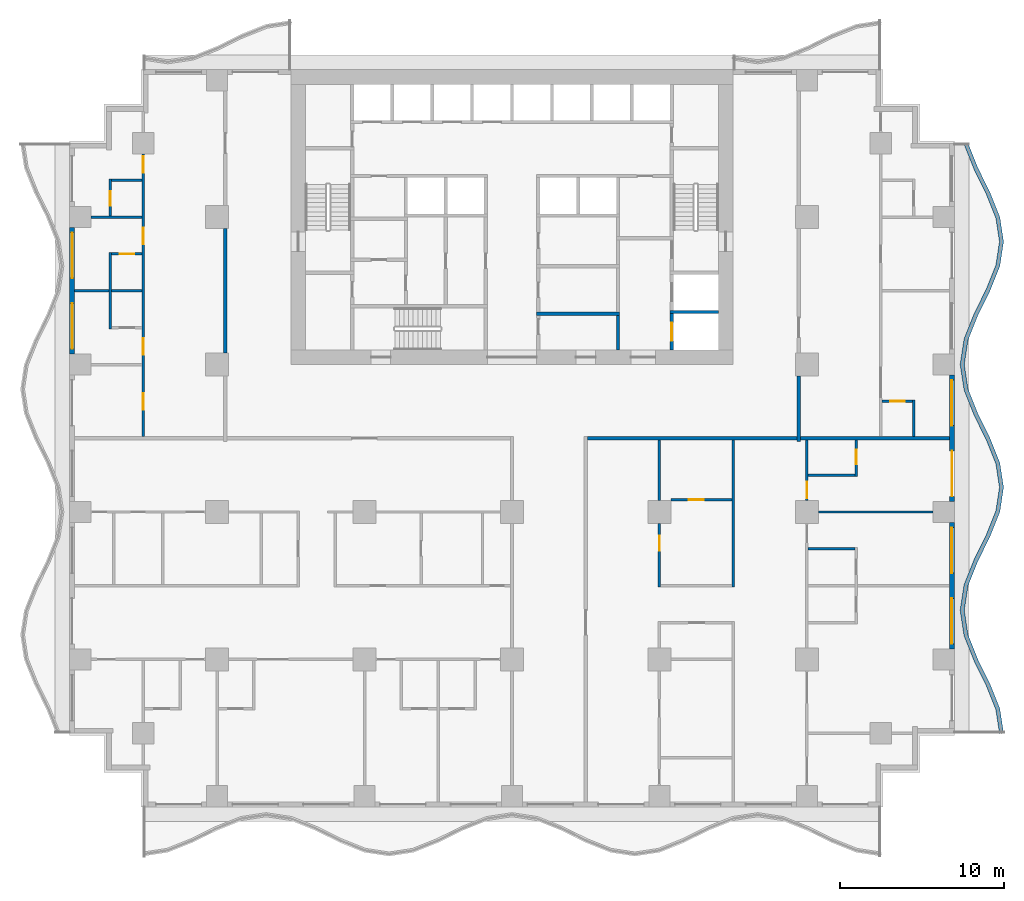
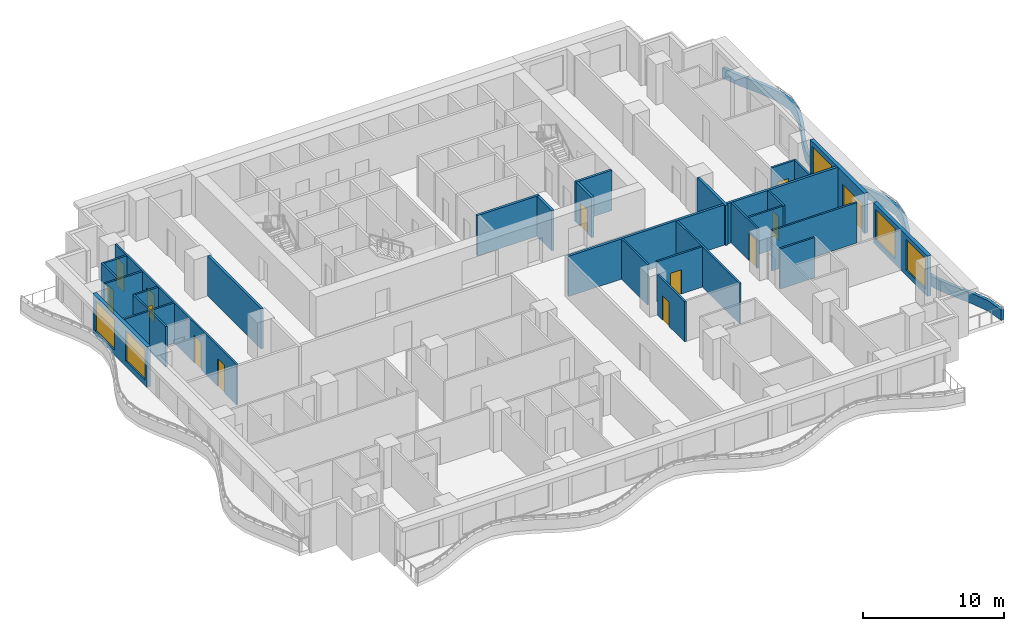
# One storey, part 4 of 14: 31 walls, 13 doors, 5 windows, 18 openings.
"""IFC4 building model written with IfcOpenShell, lengths in metres."""

import ifcopenshell
import ifcopenshell.guid

model = None  # the IFC model being written
_history = None  # IfcOwnerHistory: only IFC2X3 demands one
_inside = {}  # id of a spatial element -> (the spatial element, [elements in it])
_under = {}  # id of a project, library or spatial element -> (it, [spatial elements below it])
_declared = {}  # id of a project -> (the project, [libraries it declares])
_typed = {}  # id of a type object -> (the type object, [elements of that type])
_made_of = {}  # id of a material, layer set ... -> (it, [elements and type objects made of it])


def new_model(schema):
    """Start an empty IFC model of exactly this schema.

    Asked for "IFC4X3", IfcOpenShell would pick the latest addendum, in which some entities
    have other attributes; the version numbers below select the first issue.
    IFC2X3 requires an IfcOwnerHistory on every rooted entity: one is made here for all.
    """
    global model, _history
    if schema == "IFC4X3":
        model = ifcopenshell.file(schema_version=(4, 3, 0, 0))
    else:
        model = ifcopenshell.file(schema=schema)
    _inside.clear()
    _under.clear()
    _declared.clear()
    _typed.clear()
    _made_of.clear()
    _history = None
    if model.schema == "IFC2X3":
        org = make("IfcOrganization", Name="unknown")
        user = make(
            "IfcPersonAndOrganization",
            ThePerson=make("IfcPerson", FamilyName="unknown"),
            TheOrganization=org,
        )
        app = make(
            "IfcApplication",
            ApplicationDeveloper=org,
            Version="unknown",
            ApplicationFullName="unknown",
            ApplicationIdentifier="unknown",
        )
        _history = make(
            "IfcOwnerHistory",
            OwningUser=user,
            OwningApplication=app,
            ChangeAction="ADDED",
            CreationDate=0,
        )
    return model


def make(cls, **values):
    """One entity of the class cls with the attributes given. An attribute that is None is left unset."""
    return model.create_entity(
        cls, **{name: value for name, value in values.items() if value is not None}
    )


def rooted(cls, **values):
    """An entity with a GlobalId (a new one), such as an element, a storey or a relation."""
    return make(cls, GlobalId=ifcopenshell.guid.new(), OwnerHistory=_history, **values)


def si_unit(unit_type, name, prefix=None):
    """IfcSIUnit, for example si_unit("LENGTHUNIT", "METRE", prefix="MILLI")."""
    return make("IfcSIUnit", UnitType=unit_type, Prefix=prefix, Name=name)


def assignment(units):
    """IfcUnitAssignment: the units of a project."""
    return None if units is None else make("IfcUnitAssignment", Units=units)


def point(xyz):
    """IfcCartesianPoint."""
    return None if xyz is None else make("IfcCartesianPoint", Coordinates=xyz)


def direction(xyz):
    """IfcDirection."""
    return None if xyz is None else make("IfcDirection", DirectionRatios=xyz)


def frame(location, z_axis=None, x_axis=None):
    """IfcAxis2Placement3D, a coordinate frame: its origin and axes. An axis left out is left unset."""
    return make(
        "IfcAxis2Placement3D",
        Location=point(location),
        Axis=direction(z_axis),
        RefDirection=direction(x_axis),
    )


def frame_2d(location, x_axis=None):
    """IfcAxis2Placement2D, a coordinate frame in the plane: its origin and x axis."""
    return make(
        "IfcAxis2Placement2D", Location=point(location), RefDirection=direction(x_axis)
    )


def origin():
    """The frame at (0, 0, 0) with its axes left unset."""
    return frame((0.0, 0.0, 0.0))


def place(relative_to, where):
    """IfcLocalPlacement: puts the frame where relative to a parent placement (None: the world)."""
    return make(
        "IfcLocalPlacement", PlacementRelTo=relative_to, RelativePlacement=where
    )


def context(
    kind, dimensions, precision=None, world=None, true_north=None, identifier=None
):
    """IfcGeometricRepresentationContext, for example the 3D "Model" context."""
    return make(
        "IfcGeometricRepresentationContext",
        ContextIdentifier=identifier,
        ContextType=kind,
        CoordinateSpaceDimension=dimensions,
        Precision=precision,
        WorldCoordinateSystem=world,
        TrueNorth=true_north,
    )


def subcontext(parent, identifier, kind, view, scale=None):
    """IfcGeometricRepresentationSubContext, for example "Body" below "Model"."""
    return make(
        "IfcGeometricRepresentationSubContext",
        ContextIdentifier=identifier,
        ContextType=kind,
        ParentContext=parent,
        TargetScale=scale,
        TargetView=view,
    )


def project(units=None, contexts=None):
    """IfcProject with its units and contexts."""
    return rooted(
        "IfcProject",
        Name="project",
        RepresentationContexts=contexts,
        UnitsInContext=assignment(units),
    )


def spatial(cls, under=None, at=None, **own):
    """A site, building, storey or space (cls), placed at a placement, below another one or the project."""
    s = rooted(cls, ObjectPlacement=at, **own)
    if under is not None:
        _under.setdefault(under.id(), (under, []))[1].append(s)
    return s


def polyline(points):
    """IfcPolyline through the points."""
    return make("IfcPolyline", Points=[point(p) for p in points])


def profile(cls, at=None, kind="AREA", **sizes):
    """A parametric profile (cls). Its sizes go by their IFC names, for example OverallWidth=200.0."""
    return make(cls, ProfileType=kind, Position=at, **sizes)


def rectangle(**sizes):
    """IfcRectangleProfileDef."""
    return profile("IfcRectangleProfileDef", **sizes)


def outline(outer, holes=None, kind="AREA"):
    """IfcArbitraryClosedProfileDef: a profile drawn as a closed curve; with holes, ...WithVoids."""
    if holes is None:
        return make("IfcArbitraryClosedProfileDef", ProfileType=kind, OuterCurve=outer)
    return make(
        "IfcArbitraryProfileDefWithVoids",
        ProfileType=kind,
        OuterCurve=outer,
        InnerCurves=holes,
    )


def extrude(swept, where, along, depth):
    """IfcExtrudedAreaSolid: the profile swept, set in the frame where, extruded along a direction by depth."""
    return make(
        "IfcExtrudedAreaSolid",
        SweptArea=swept,
        Position=where,
        ExtrudedDirection=direction(along),
        Depth=depth,
    )


def shape(context_of_items, identifier, shape_type, items):
    """IfcShapeRepresentation: the items that make up one representation, for example the "Body"."""
    return make(
        "IfcShapeRepresentation",
        ContextOfItems=context_of_items,
        RepresentationIdentifier=identifier,
        RepresentationType=shape_type,
        Items=items,
    )


def material(Name=None, Category=None):
    """IfcMaterial."""
    return make("IfcMaterial", Name=Name, Category=Category)


def layer(
    of_material, thickness, ventilated=None, Name=None, Category=None, Priority=None
):
    """IfcMaterialLayer: one layer of a wall or slab, of a material (None: an air gap)."""
    return make(
        "IfcMaterialLayer",
        Material=of_material,
        LayerThickness=thickness,
        IsVentilated=ventilated,
        Name=Name,
        Category=Category,
        Priority=Priority,
    )


def layer_set(layers, Name=None):
    """IfcMaterialLayerSet."""
    return make("IfcMaterialLayerSet", MaterialLayers=layers, LayerSetName=Name)


def made_of(thing, what):
    """Note that an element or type object is made of a material, layer set ...; save() writes the relation."""
    if what is not None:
        _made_of.setdefault(what.id(), (what, []))[1].append(thing)
    return thing


def type_object(cls, material=None, **own):
    """A type object (cls), such as IfcWallType, which elements share."""
    return made_of(rooted(cls, **own), material)


def element(
    cls,
    number,
    at=None,
    inside=None,
    cuts=None,
    type_object=None,
    material=None,
    context=None,
    identifier="Body",
    shape_type=None,
    held_by="IfcProductDefinitionShape",
    body=None,
    shapes=None,
    **own,
):
    """One element of the class cls, such as IfcWall. Its Tag is "e" and its number.

    at: its placement. inside: the storey or other place that contains it. cuts: it is an
    opening in that element (IfcRelVoidsElement). A single representation is given by context,
    identifier, shape_type and body (its items); several are given by shapes. held_by: the class
    of the entity that holds the representations. save() writes the other relations.
    """
    e = rooted(cls, Tag="e%d" % number, ObjectPlacement=at, **own)
    if body is not None:
        shapes = [shape(context, identifier, shape_type, body)]
    if shapes is not None:
        e.Representation = make(held_by, Representations=shapes)
    if inside is not None:
        _inside.setdefault(inside.id(), (inside, []))[1].append(e)
    if cuts is not None:
        rooted(
            "IfcRelVoidsElement", RelatingBuildingElement=cuts, RelatedOpeningElement=e
        )
    if type_object is not None:
        _typed.setdefault(type_object.id(), (type_object, []))[1].append(e)
    return made_of(e, material)


def fill(opening, filler):
    """IfcRelFillsElement: the door or window that sits in an opening."""
    return rooted(
        "IfcRelFillsElement",
        RelatingOpeningElement=opening,
        RelatedBuildingElement=filler,
    )


def aggregate(whole, parts):
    """IfcRelAggregates: a whole, such as a stair, and the parts it consists of."""
    return rooted("IfcRelAggregates", RelatingObject=whole, RelatedObjects=parts)


def save(model, path):
    """Write the relations noted so far, then the file.

    IfcRelAggregates (storeys below a building ...), IfcRelContainedInSpatialStructure (elements
    in a storey), IfcRelDefinesByType, IfcRelAssociatesMaterial and IfcRelDeclares: one each for
    every whole, place, type object, material and project.
    """
    for whole, parts in _under.values():
        aggregate(whole, parts)
    for where, things in _inside.values():
        rooted(
            "IfcRelContainedInSpatialStructure",
            RelatedElements=things,
            RelatingStructure=where,
        )
    for kind, things in _typed.values():
        rooted("IfcRelDefinesByType", RelatedObjects=things, RelatingType=kind)
    for what, things in _made_of.values():
        rooted("IfcRelAssociatesMaterial", RelatedObjects=things, RelatingMaterial=what)
    for by, libraries in _declared.values():
        rooted("IfcRelDeclares", RelatingContext=by, RelatedDefinitions=libraries)
    model.write(path)


model = new_model("IFC4")

# Units and contexts
model_context = context("Model", 3, precision=1e-05, world=origin(), true_north=direction((0.0, 1.0)))
body_context = subcontext(model_context, "Body", "Model", "MODEL_VIEW")
ifc_project = project(units=[si_unit("LENGTHUNIT", "METRE"), si_unit("AREAUNIT", "SQUARE_METRE"), si_unit("VOLUMEUNIT", "CUBIC_METRE"), si_unit("PLANEANGLEUNIT", "RADIAN"), si_unit("MASSUNIT", "GRAM", prefix="KILO")], contexts=[model_context])

# Site, building, storey
site_placement = place(None, origin())
site = spatial("IfcSite", under=ifc_project, at=site_placement, CompositionType="ELEMENT")
building_placement = place(site_placement, origin())
building = spatial("IfcBuilding", under=site, at=building_placement, Name="Orbiselva Terraces", CompositionType="ELEMENT")
storey_placement = place(building_placement, frame((0.0, 0.0, 84.6)))
storey = spatial("IfcBuildingStorey", under=building, at=storey_placement, Name="L21", CompositionType="ELEMENT", Elevation=84.6)

# Walls
ifc_material_1 = material(Name="Concrete C60/75", Category="concrete")
ifc_layer_1 = layer(ifc_material_1, 0.2)
ifc_layer_set_1 = layer_set([ifc_layer_1], Name="Concrete C60/75")
wall_type_1 = type_object("IfcWallType", Name="CORE-WALL-SHEAR-200", PredefinedType="SHEAR", material=ifc_layer_set_1)
wall_1_placement = place(storey_placement, frame((1.5, 7.6, 0.0), z_axis=(0.0, 0.0, 1.0), x_axis=(1.0, 0.0, 0.0)))
element("IfcWall", 1, at=wall_1_placement, inside=storey, type_object=wall_type_1, Name="L21 core wall 30", PredefinedType="SHEAR", context=body_context, shape_type="SweptSolid", body=[
    extrude(rectangle(XDim=5.075, YDim=0.2, at=frame_2d((2.5375, 0.0))), origin(), (0.0, 0.0, 1.0), 3.5),
])
wall_2_placement = place(storey_placement, frame((6.475, 5.4, 0.0), z_axis=(0.0, 0.0, 1.0), x_axis=(0.0, 1.0, 0.0)))
element("IfcWall", 2, at=wall_2_placement, inside=storey, type_object=wall_type_1, Name="L21 core wall 40", PredefinedType="SHEAR", context=body_context, shape_type="SweptSolid", body=[
    extrude(rectangle(XDim=2.1, YDim=0.2, at=frame_2d((1.05, 0.0))), origin(), (0.0, 0.0, 1.0), 3.5),
])

# Wall, opening, door
wall_3_placement = place(storey_placement, frame((9.75, 5.4, 0.0), z_axis=(0.0, 0.0, 1.0), x_axis=(0.0, 1.0, 0.0)))
wall_3 = element("IfcWall", 3, at=wall_3_placement, inside=storey, type_object=wall_type_1, Name="L21 core wall 47", PredefinedType="SHEAR", context=body_context, shape_type="SweptSolid", body=[
    extrude(rectangle(XDim=2.2, YDim=0.2, at=frame_2d((1.1, 0.0))), origin(), (0.0, 0.0, 1.0), 3.5),
])
opening_1_placement = place(wall_3_placement, frame((0.55, 0.0, 0.0)))
opening_1 = element("IfcOpeningElement", 4, at=opening_1_placement, cuts=wall_3, Name="Opening LD-FF1", PredefinedType="OPENING", context=body_context, shape_type="SweptSolid", body=[
    extrude(rectangle(XDim=1.1, YDim=2.1, at=frame_2d((0.55, 1.05))), frame((0.0, 0.11, 0.0), z_axis=(0.0, -1.0, 0.0), x_axis=(1.0, 0.0, 0.0)), (0.0, 0.0, 1.0), 0.22),
])
ifc_material_2 = material(Name="Stainless steel landing door", Category="steel")
door_type_1 = type_object("IfcDoorType", Name="LANDING DOOR 1100", OperationType="SLIDING_TO_LEFT", PredefinedType="DOOR", material=ifc_material_2)
door_1_placement = place(opening_1_placement, origin())
door_1 = element("IfcDoor", 5, at=door_1_placement, inside=storey, type_object=door_type_1, Name="L21 landing door FF1", OperationType="SLIDING_TO_RIGHT", OverallHeight=2.1, OverallWidth=1.1, PredefinedType="DOOR", context=body_context, shape_type="SweptSolid", body=[
    extrude(rectangle(XDim=1.1, YDim=2.1, at=frame_2d((0.55, 1.05))), frame((0.0, 0.025, 0.0), z_axis=(0.0, -1.0, 0.0), x_axis=(1.0, 0.0, 0.0)), (0.0, 0.0, 1.0), 0.05),
])
fill(opening_1, door_1)

# Walls
wall_4_placement = place(storey_placement, frame((9.65, 7.7, 0.0), z_axis=(0.0, 0.0, 1.0), x_axis=(1.0, 0.0, 0.0)))
element("IfcWall", 6, at=wall_4_placement, inside=storey, type_object=wall_type_1, Name="L21 core wall 48", PredefinedType="SHEAR", context=body_context, shape_type="SweptSolid", body=[
    extrude(rectangle(XDim=2.95, YDim=0.2, at=frame_2d((1.475, 0.0))), origin(), (0.0, 0.0, 1.0), 3.5),
])
ifc_material_3 = material(Name="Concrete C40/50", Category="concrete")
ifc_layer_2 = layer(ifc_material_3, 0.25)
ifc_layer_set_2 = layer_set([ifc_layer_2], Name="Concrete C40/50")
wall_type_2 = type_object("IfcWallType", Name="ENV-PLANTER-250x900", PredefinedType="USERDEFINED", material=ifc_layer_set_2)
wall_5_placement = place(storey_placement, origin())
element("IfcWall", 7, at=wall_5_placement, inside=storey, type_object=wall_type_2, Name="Balcony planter L21 E", ObjectType="PLANTER", PredefinedType="USERDEFINED", context=body_context, shape_type="SweptSolid", body=[
    extrude(outline(polyline([(30.0, -18.0), (29.77082, -16.5), (29.17082, -15.0), (28.42918, -13.5), (27.82918, -12.0), (27.6, -10.5), (27.82918, -9.0), (28.42918, -7.5), (29.17082, -6.0), (29.77082, -4.5), (30.0, -3.0), (29.77082, -1.5), (29.17082, 0.0), (28.42918, 1.5), (27.82918, 3.0), (27.6, 4.5), (27.82918, 6.0), (28.42918, 7.5), (29.17082, 9.0), (29.77082, 10.5), (30.0, 12.0), (29.77082, 13.5), (29.17082, 15.0), (28.42918, 16.5), (27.82918, 18.0), (27.597061, 17.907152), (28.200715, 16.398017), (28.942355, 14.898017), (29.528028, 13.433834), (29.747099, 12.0), (29.528028, 10.566166), (28.942355, 9.101983), (28.200715, 7.601983), (27.586388, 6.066166), (27.347099, 4.5), (27.586388, 2.933834), (28.200715, 1.398017), (28.942355, -0.101983), (29.528028, -1.566166), (29.747099, -3.0), (29.528028, -4.433834), (28.942355, -5.898017), (28.200715, -7.398017), (27.586388, -8.933834), (27.347099, -10.5), (27.586388, -12.066166), (28.200715, -13.601983), (28.942355, -15.101983), (29.528028, -16.566166), (29.752868, -18.037758), (30.0, -18.0)])), origin(), (0.0, 0.0, 1.0), 0.9),
])

# Wall, openings, windows
ifc_material_4 = material(Name="Terracotta cladding on masonry backing", Category="masonry")
ifc_layer_3 = layer(ifc_material_4, 0.3)
ifc_layer_set_3 = layer_set([ifc_layer_3], Name="Terracotta cladding on masonry backing")
wall_type_3 = type_object("IfcWallType", Name="ENV-WALL-TERRACOTTA-300", PredefinedType="SOLIDWALL", material=ifc_layer_set_3)
wall_6_placement = place(storey_placement, frame((26.85, -5.15, 0.0), z_axis=(0.0, 0.0, 1.0), x_axis=(0.0, -1.0, 0.0)))
wall_6 = element("IfcWall", 8, at=wall_6_placement, inside=storey, type_object=wall_type_3, Name="Facade wall L21 E", PredefinedType="SOLIDWALL", context=body_context, shape_type="SweptSolid", body=[
    extrude(rectangle(XDim=7.7, YDim=0.3, at=frame_2d((3.85, 0.0))), origin(), (0.0, 0.0, 1.0), 3.5),
])
opening_2_placement = place(wall_6_placement, frame((4.625, 0.0, 0.45)))
opening_2 = element("IfcOpeningElement", 9, at=opening_2_placement, cuts=wall_6, Name="Opening WN6", PredefinedType="OPENING", context=body_context, shape_type="SweptSolid", body=[
    extrude(rectangle(XDim=2.775, YDim=2.65, at=frame_2d((1.3875, 1.325))), frame((0.0, 0.16, 0.0), z_axis=(0.0, -1.0, 0.0), x_axis=(1.0, 0.0, 0.0)), (0.0, 0.0, 1.0), 0.32),
])
opening_3_placement = place(wall_6_placement, frame((0.3, 0.0, 0.45)))
opening_3 = element("IfcOpeningElement", 10, at=opening_3_placement, cuts=wall_6, Name="Opening WN6", PredefinedType="OPENING", context=body_context, shape_type="SweptSolid", body=[
    extrude(rectangle(XDim=2.775, YDim=2.65, at=frame_2d((1.3875, 1.325))), frame((0.0, 0.16, 0.0), z_axis=(0.0, -1.0, 0.0), x_axis=(1.0, 0.0, 0.0)), (0.0, 0.0, 1.0), 0.32),
])
ifc_material_5 = material(Name="Clear low-e glazing in aluminium frame", Category="aluminium")
window_type = type_object("IfcWindowType", Name="WINDOW 2775 X 2650 S450", PartitioningType="TRIPLE_PANEL_VERTICAL", PredefinedType="WINDOW", material=ifc_material_5)
window_1_placement = place(opening_2_placement, origin())
window_1 = element("IfcWindow", 11, at=window_1_placement, inside=storey, type_object=window_type, Name="Window L21 E", OverallHeight=2.65, OverallWidth=2.775, PartitioningType="SINGLE_PANEL", PredefinedType="WINDOW", context=body_context, shape_type="SweptSolid", body=[
    extrude(rectangle(XDim=2.775, YDim=2.65, at=frame_2d((1.3875, 1.325))), frame((0.0, 0.03, 0.0), z_axis=(0.0, -1.0, 0.0), x_axis=(1.0, 0.0, 0.0)), (0.0, 0.0, 1.0), 0.06),
])
fill(opening_2, window_1)
window_2_placement = place(opening_3_placement, origin())
window_2 = element("IfcWindow", 12, at=window_2_placement, inside=storey, type_object=window_type, Name="Window L21 E", OverallHeight=2.65, OverallWidth=2.775, PartitioningType="SINGLE_PANEL", PredefinedType="WINDOW", context=body_context, shape_type="SweptSolid", body=[
    extrude(rectangle(XDim=2.775, YDim=2.65, at=frame_2d((1.3875, 1.325))), frame((0.0, 0.03, 0.0), z_axis=(0.0, -1.0, 0.0), x_axis=(1.0, 0.0, 0.0)), (0.0, 0.0, 1.0), 0.06),
])
fill(opening_3, window_2)

# Wall, openings, door, window
wall_7_placement = place(storey_placement, frame((26.85, 3.85, 0.0), z_axis=(0.0, 0.0, 1.0), x_axis=(0.0, -1.0, 0.0)))
wall_7 = element("IfcWall", 13, at=wall_7_placement, inside=storey, type_object=wall_type_3, Name="Facade wall L21 E", PredefinedType="SOLIDWALL", context=body_context, shape_type="SweptSolid", body=[
    extrude(rectangle(XDim=7.7, YDim=0.3, at=frame_2d((3.85, 0.0))), origin(), (0.0, 0.0, 1.0), 3.5),
])
opening_4_placement = place(wall_7_placement, frame((4.625, 0.0, 0.0)))
opening_4 = element("IfcOpeningElement", 14, at=opening_4_placement, cuts=wall_7, Name="Opening Z2-B-E06", PredefinedType="OPENING", context=body_context, shape_type="SweptSolid", body=[
    extrude(rectangle(XDim=2.775, YDim=2.4, at=frame_2d((1.3875, 1.2))), frame((0.0, 0.16, 0.0), z_axis=(0.0, -1.0, 0.0), x_axis=(1.0, 0.0, 0.0)), (0.0, 0.0, 1.0), 0.32),
])
opening_5_placement = place(wall_7_placement, frame((0.3, 0.0, 0.45)))
opening_5 = element("IfcOpeningElement", 15, at=opening_5_placement, cuts=wall_7, Name="Opening WN6", PredefinedType="OPENING", context=body_context, shape_type="SweptSolid", body=[
    extrude(rectangle(XDim=2.775, YDim=2.65, at=frame_2d((1.3875, 1.325))), frame((0.0, 0.16, 0.0), z_axis=(0.0, -1.0, 0.0), x_axis=(1.0, 0.0, 0.0)), (0.0, 0.0, 1.0), 0.32),
])
door_type_2 = type_object("IfcDoorType", Name="BALCONY DOOR 2775 X 2400", OperationType="DOUBLE_DOOR_SLIDING", PredefinedType="DOOR", material=ifc_material_5)
door_2_placement = place(opening_4_placement, origin())
door_2 = element("IfcDoor", 16, at=door_2_placement, inside=storey, type_object=door_type_2, Name="Z2-B-E06", OperationType="SINGLE_SWING_LEFT", OverallHeight=2.4, OverallWidth=2.775, PredefinedType="DOOR", context=body_context, shape_type="SweptSolid", body=[
    extrude(rectangle(XDim=2.775, YDim=2.4, at=frame_2d((1.3875, 1.2))), frame((0.0, 0.025, 0.0), z_axis=(0.0, -1.0, 0.0), x_axis=(1.0, 0.0, 0.0)), (0.0, 0.0, 1.0), 0.05),
])
fill(opening_4, door_2)
window_3_placement = place(opening_5_placement, origin())
window_3 = element("IfcWindow", 17, at=window_3_placement, inside=storey, type_object=window_type, Name="Window L21 E", OverallHeight=2.65, OverallWidth=2.775, PartitioningType="SINGLE_PANEL", PredefinedType="WINDOW", context=body_context, shape_type="SweptSolid", body=[
    extrude(rectangle(XDim=2.775, YDim=2.65, at=frame_2d((1.3875, 1.325))), frame((0.0, 0.03, 0.0), z_axis=(0.0, -1.0, 0.0), x_axis=(1.0, 0.0, 0.0)), (0.0, 0.0, 1.0), 0.06),
])
fill(opening_5, window_3)

# Wall, openings, windows
wall_8_placement = place(storey_placement, frame((-26.85, 5.15, 0.0), z_axis=(0.0, 0.0, 1.0), x_axis=(0.0, 1.0, 0.0)))
wall_8 = element("IfcWall", 18, at=wall_8_placement, inside=storey, type_object=wall_type_3, Name="Facade wall L21 W", PredefinedType="SOLIDWALL", context=body_context, shape_type="SweptSolid", body=[
    extrude(rectangle(XDim=7.7, YDim=0.3, at=frame_2d((3.85, 0.0))), origin(), (0.0, 0.0, 1.0), 3.5),
])
opening_6_placement = place(wall_8_placement, frame((4.625, 0.0, 0.45)))
opening_6 = element("IfcOpeningElement", 19, at=opening_6_placement, cuts=wall_8, Name="Opening WN6", PredefinedType="OPENING", context=body_context, shape_type="SweptSolid", body=[
    extrude(rectangle(XDim=2.775, YDim=2.65, at=frame_2d((1.3875, 1.325))), frame((0.0, 0.16, 0.0), z_axis=(0.0, -1.0, 0.0), x_axis=(1.0, 0.0, 0.0)), (0.0, 0.0, 1.0), 0.32),
])
opening_7_placement = place(wall_8_placement, frame((0.3, 0.0, 0.45)))
opening_7 = element("IfcOpeningElement", 20, at=opening_7_placement, cuts=wall_8, Name="Opening WN6", PredefinedType="OPENING", context=body_context, shape_type="SweptSolid", body=[
    extrude(rectangle(XDim=2.775, YDim=2.65, at=frame_2d((1.3875, 1.325))), frame((0.0, 0.16, 0.0), z_axis=(0.0, -1.0, 0.0), x_axis=(1.0, 0.0, 0.0)), (0.0, 0.0, 1.0), 0.32),
])
window_4_placement = place(opening_6_placement, origin())
window_4 = element("IfcWindow", 21, at=window_4_placement, inside=storey, type_object=window_type, Name="Window L21 W", OverallHeight=2.65, OverallWidth=2.775, PartitioningType="SINGLE_PANEL", PredefinedType="WINDOW", context=body_context, shape_type="SweptSolid", body=[
    extrude(rectangle(XDim=2.775, YDim=2.65, at=frame_2d((1.3875, 1.325))), frame((0.0, 0.03, 0.0), z_axis=(0.0, -1.0, 0.0), x_axis=(1.0, 0.0, 0.0)), (0.0, 0.0, 1.0), 0.06),
])
fill(opening_6, window_4)
window_5_placement = place(opening_7_placement, origin())
window_5 = element("IfcWindow", 22, at=window_5_placement, inside=storey, type_object=window_type, Name="Window L21 W", OverallHeight=2.65, OverallWidth=2.775, PartitioningType="SINGLE_PANEL", PredefinedType="WINDOW", context=body_context, shape_type="SweptSolid", body=[
    extrude(rectangle(XDim=2.775, YDim=2.65, at=frame_2d((1.3875, 1.325))), frame((0.0, 0.03, 0.0), z_axis=(0.0, -1.0, 0.0), x_axis=(1.0, 0.0, 0.0)), (0.0, 0.0, 1.0), 0.06),
])
fill(opening_7, window_5)

# Walls
ifc_material_6 = material(Name="Plasterboard on steel stud partition", Category="steel")
ifc_layer_4 = layer(ifc_material_6, 0.2)
ifc_layer_set_4 = layer_set([ifc_layer_4], Name="Plasterboard on steel stud partition")
wall_type_4 = type_object("IfcWallType", Name="UNIT-ENTRANCE-WALL-200", PredefinedType="PARTITIONING", material=ifc_layer_set_4)
wall_9_placement = place(storey_placement, frame((4.6, 0.0, 0.0), z_axis=(0.0, 0.0, 1.0), x_axis=(1.0, 0.0, 0.0)))
element("IfcWall", 23, at=wall_9_placement, inside=storey, type_object=wall_type_4, Name="PARTITION L21-028", PredefinedType="PARTITIONING", context=body_context, shape_type="SweptSolid", body=[
    extrude(rectangle(XDim=12.8, YDim=0.2, at=frame_2d((6.4, 0.0))), origin(), (0.0, 0.0, 1.0), 3.5),
])
wall_10_placement = place(storey_placement, frame((-17.5, 5.2, 0.0), z_axis=(0.0, 0.0, 1.0), x_axis=(0.0, 1.0, 0.0)))
element("IfcWall", 24, at=wall_10_placement, inside=storey, type_object=wall_type_4, Name="PARTITION L21-053", PredefinedType="PARTITIONING", context=body_context, shape_type="SweptSolid", body=[
    extrude(rectangle(XDim=7.6, YDim=0.2, at=frame_2d((3.8, 0.0))), origin(), (0.0, 0.0, 1.0), 3.5),
])
wall_11_placement = place(storey_placement, frame((17.5, -0.2, 0.0), z_axis=(0.0, 0.0, 1.0), x_axis=(0.0, 1.0, 0.0)))
element("IfcWall", 25, at=wall_11_placement, inside=storey, type_object=wall_type_4, Name="PARTITION L21-075", PredefinedType="PARTITIONING", context=body_context, shape_type="SweptSolid", body=[
    extrude(rectangle(XDim=4.0, YDim=0.2, at=frame_2d((2.0, 0.0))), origin(), (0.0, 0.0, 1.0), 3.5),
])
ifc_layer_5 = layer(ifc_material_6, 0.15)
ifc_layer_set_5 = layer_set([ifc_layer_5], Name="Plasterboard on steel stud partition")
wall_type_5 = type_object("IfcWallType", Name="UNIT-PARTITION-150", PredefinedType="PARTITIONING", material=ifc_layer_set_5)
wall_12_placement = place(storey_placement, frame((18.075, -6.75, 0.0), z_axis=(0.0, 0.0, 1.0), x_axis=(1.0, 0.0, 0.0)))
element("IfcWall", 26, at=wall_12_placement, inside=storey, type_object=wall_type_5, Name="PARTITION L21-019", PredefinedType="PARTITIONING", context=body_context, shape_type="SweptSolid", body=[
    extrude(rectangle(XDim=2.85, YDim=0.15, at=frame_2d((1.425, 0.0))), origin(), (0.0, 0.0, 1.0), 3.5),
])
wall_13_placement = place(storey_placement, frame((18.7, -4.5, 0.0), z_axis=(0.0, 0.0, 1.0), x_axis=(1.0, 0.0, 0.0)))
element("IfcWall", 27, at=wall_13_placement, inside=storey, type_object=wall_type_5, Name="PARTITION L21-024", PredefinedType="PARTITIONING", context=body_context, shape_type="SweptSolid", body=[
    extrude(rectangle(XDim=7.0, YDim=0.15, at=frame_2d((3.5, 0.0))), origin(), (0.0, 0.0, 1.0), 3.5),
])

# Wall, opening, door
wall_14_placement = place(storey_placement, frame((9.7, -3.75, 0.0), z_axis=(0.0, 0.0, 1.0), x_axis=(1.0, 0.0, 0.0)))
wall_14 = element("IfcWall", 28, at=wall_14_placement, inside=storey, type_object=wall_type_5, Name="PARTITION L21-025", PredefinedType="PARTITIONING", context=body_context, shape_type="SweptSolid", body=[
    extrude(rectangle(XDim=3.725, YDim=0.15, at=frame_2d((1.8625, 0.0))), origin(), (0.0, 0.0, 1.0), 3.5),
])
opening_8_placement = place(wall_14_placement, frame((1.1, 0.0, 0.0)))
opening_8 = element("IfcOpeningElement", 29, at=opening_8_placement, cuts=wall_14, Name="Opening Z2-B-37", PredefinedType="OPENING", context=body_context, shape_type="SweptSolid", body=[
    extrude(rectangle(XDim=0.9, YDim=2.1, at=frame_2d((0.45, 1.05))), frame((0.0, 0.085, 0.0), z_axis=(0.0, -1.0, 0.0), x_axis=(1.0, 0.0, 0.0)), (0.0, 0.0, 1.0), 0.17),
])
ifc_material_7 = material(Name="Painted timber door leaf", Category="wood")
door_type_3 = type_object("IfcDoorType", Name="BATH DOOR 900", OperationType="NOTDEFINED", PredefinedType="DOOR", material=ifc_material_7)
door_3_placement = place(opening_8_placement, origin())
door_3 = element("IfcDoor", 30, at=door_3_placement, inside=storey, type_object=door_type_3, Name="Z2-B-37", OperationType="SINGLE_SWING_LEFT", OverallHeight=2.1, OverallWidth=0.9, PredefinedType="DOOR", context=body_context, shape_type="SweptSolid", body=[
    extrude(rectangle(XDim=0.9, YDim=2.1, at=frame_2d((0.45, 1.05))), frame((0.0, 0.025, 0.0), z_axis=(0.0, -1.0, 0.0), x_axis=(1.0, 0.0, 0.0)), (0.0, 0.0, 1.0), 0.05),
])
fill(opening_8, door_3)

# Wall
wall_15_placement = place(storey_placement, frame((18.075, -2.25, 0.0), z_axis=(0.0, 0.0, 1.0), x_axis=(1.0, 0.0, 0.0)))
element("IfcWall", 31, at=wall_15_placement, inside=storey, type_object=wall_type_5, Name="PARTITION L21-026", PredefinedType="PARTITIONING", context=body_context, shape_type="SweptSolid", body=[
    extrude(rectangle(XDim=2.85, YDim=0.15, at=frame_2d((1.425, 0.0))), origin(), (0.0, 0.0, 1.0), 3.5),
])

# Wall, opening, door
wall_16_placement = place(storey_placement, frame((24.45, 2.25, 0.0), z_axis=(0.0, 0.0, 1.0), x_axis=(-1.0, 0.0, 0.0)))
wall_16 = element("IfcWall", 32, at=wall_16_placement, inside=storey, type_object=wall_type_5, Name="PARTITION L21-031", PredefinedType="PARTITIONING", context=body_context, shape_type="SweptSolid", body=[
    extrude(rectangle(XDim=1.875, YDim=0.15, at=frame_2d((0.9375, 0.0))), origin(), (0.0, 0.0, 1.0), 3.5),
])
opening_9_placement = place(wall_16_placement, frame((0.475, 0.0, 0.0)))
opening_9 = element("IfcOpeningElement", 33, at=opening_9_placement, cuts=wall_16, Name="Opening Z2-B-11", PredefinedType="OPENING", context=body_context, shape_type="SweptSolid", body=[
    extrude(rectangle(XDim=0.9, YDim=2.1, at=frame_2d((0.45, 1.05))), frame((0.0, 0.085, 0.0), z_axis=(0.0, -1.0, 0.0), x_axis=(1.0, 0.0, 0.0)), (0.0, 0.0, 1.0), 0.17),
])
door_4_placement = place(opening_9_placement, origin())
door_4 = element("IfcDoor", 34, at=door_4_placement, inside=storey, type_object=door_type_3, Name="Z2-B-11", OperationType="SINGLE_SWING_LEFT", OverallHeight=2.1, OverallWidth=0.9, PredefinedType="DOOR", context=body_context, shape_type="SweptSolid", body=[
    extrude(rectangle(XDim=0.9, YDim=2.1, at=frame_2d((0.45, 1.05))), frame((0.0, 0.025, 0.0), z_axis=(0.0, -1.0, 0.0), x_axis=(1.0, 0.0, 0.0)), (0.0, 0.0, 1.0), 0.05),
])
fill(opening_9, door_4)

# Walls
wall_17_placement = place(storey_placement, frame((-26.7, 9.0, 0.0), z_axis=(0.0, 0.0, 1.0), x_axis=(1.0, 0.0, 0.0)))
element("IfcWall", 35, at=wall_17_placement, inside=storey, type_object=wall_type_5, Name="PARTITION L21-034", PredefinedType="PARTITIONING", context=body_context, shape_type="SweptSolid", body=[
    extrude(rectangle(XDim=2.1, YDim=0.15, at=frame_2d((1.05, 0.0))), origin(), (0.0, 0.0, 1.0), 3.5),
])
wall_18_placement = place(storey_placement, frame((-24.45, 9.0, 0.0), z_axis=(0.0, 0.0, 1.0), x_axis=(1.0, 0.0, 0.0)))
element("IfcWall", 36, at=wall_18_placement, inside=storey, type_object=wall_type_5, Name="PARTITION L21-035", PredefinedType="PARTITIONING", context=body_context, shape_type="SweptSolid", body=[
    extrude(rectangle(XDim=1.875, YDim=0.15, at=frame_2d((0.9375, 0.0))), origin(), (0.0, 0.0, 1.0), 3.5),
])

# Wall, opening, door
wall_19_placement = place(storey_placement, frame((-22.575, 11.25, 0.0), z_axis=(0.0, 0.0, 1.0), x_axis=(-1.0, 0.0, 0.0)))
wall_19 = element("IfcWall", 37, at=wall_19_placement, inside=storey, type_object=wall_type_5, Name="PARTITION L21-037", PredefinedType="PARTITIONING", context=body_context, shape_type="SweptSolid", body=[
    extrude(rectangle(XDim=1.875, YDim=0.15, at=frame_2d((0.9375, 0.0))), origin(), (0.0, 0.0, 1.0), 3.5),
])
opening_10_placement = place(wall_19_placement, frame((0.475, 0.0, 0.0)))
opening_10 = element("IfcOpeningElement", 38, at=opening_10_placement, cuts=wall_19, Name="Opening Z2-B-06", PredefinedType="OPENING", context=body_context, shape_type="SweptSolid", body=[
    extrude(rectangle(XDim=0.9, YDim=2.1, at=frame_2d((0.45, 1.05))), frame((0.0, 0.085, 0.0), z_axis=(0.0, -1.0, 0.0), x_axis=(1.0, 0.0, 0.0)), (0.0, 0.0, 1.0), 0.17),
])
door_5_placement = place(opening_10_placement, origin())
door_5 = element("IfcDoor", 39, at=door_5_placement, inside=storey, type_object=door_type_3, Name="Z2-B-06", OperationType="SINGLE_SWING_LEFT", OverallHeight=2.1, OverallWidth=0.9, PredefinedType="DOOR", context=body_context, shape_type="SweptSolid", body=[
    extrude(rectangle(XDim=0.9, YDim=2.1, at=frame_2d((0.45, 1.05))), frame((0.0, 0.025, 0.0), z_axis=(0.0, -1.0, 0.0), x_axis=(1.0, 0.0, 0.0)), (0.0, 0.0, 1.0), 0.05),
])
fill(opening_10, door_5)

# Walls
wall_20_placement = place(storey_placement, frame((-25.7, 13.5, 0.0), z_axis=(0.0, 0.0, 1.0), x_axis=(1.0, 0.0, 0.0)))
element("IfcWall", 40, at=wall_20_placement, inside=storey, type_object=wall_type_5, Name="PARTITION L21-038", PredefinedType="PARTITIONING", context=body_context, shape_type="SweptSolid", body=[
    extrude(rectangle(XDim=3.125, YDim=0.15, at=frame_2d((1.5625, 0.0))), origin(), (0.0, 0.0, 1.0), 3.5),
])
wall_21_placement = place(storey_placement, frame((-24.45, 15.75, 0.0), z_axis=(0.0, 0.0, 1.0), x_axis=(1.0, 0.0, 0.0)))
element("IfcWall", 41, at=wall_21_placement, inside=storey, type_object=wall_type_5, Name="PARTITION L21-040", PredefinedType="PARTITIONING", context=body_context, shape_type="SweptSolid", body=[
    extrude(rectangle(XDim=1.875, YDim=0.15, at=frame_2d((0.9375, 0.0))), origin(), (0.0, 0.0, 1.0), 3.5),
])
wall_22_placement = place(storey_placement, frame((-24.525, 6.675, 0.0), z_axis=(0.0, 0.0, 1.0), x_axis=(0.0, 1.0, 0.0)))
element("IfcWall", 42, at=wall_22_placement, inside=storey, type_object=wall_type_5, Name="PARTITION L21-042", PredefinedType="PARTITIONING", context=body_context, shape_type="SweptSolid", body=[
    extrude(rectangle(XDim=4.65, YDim=0.15, at=frame_2d((2.325, 0.0))), origin(), (0.0, 0.0, 1.0), 3.5),
])

# Wall, opening, door
wall_23_placement = place(storey_placement, frame((-24.525, 15.825, 0.0), z_axis=(0.0, 0.0, 1.0), x_axis=(0.0, -1.0, 0.0)))
wall_23 = element("IfcWall", 43, at=wall_23_placement, inside=storey, type_object=wall_type_5, Name="PARTITION L21-043", PredefinedType="PARTITIONING", context=body_context, shape_type="SweptSolid", body=[
    extrude(rectangle(XDim=2.25, YDim=0.15, at=frame_2d((1.125, 0.0))), origin(), (0.0, 0.0, 1.0), 3.5),
])
opening_11_placement = place(wall_23_placement, frame((0.75, 0.0, 0.0)))
opening_11 = element("IfcOpeningElement", 44, at=opening_11_placement, cuts=wall_23, Name="Opening Z2-B-08", PredefinedType="OPENING", context=body_context, shape_type="SweptSolid", body=[
    extrude(rectangle(XDim=0.9, YDim=2.1, at=frame_2d((0.45, 1.05))), frame((0.0, 0.085, 0.0), z_axis=(0.0, -1.0, 0.0), x_axis=(1.0, 0.0, 0.0)), (0.0, 0.0, 1.0), 0.17),
])
door_6_placement = place(opening_11_placement, origin())
door_6 = element("IfcDoor", 45, at=door_6_placement, inside=storey, type_object=door_type_3, Name="Z2-B-08", OperationType="SINGLE_SWING_RIGHT", OverallHeight=2.1, OverallWidth=0.9, PredefinedType="DOOR", context=body_context, shape_type="SweptSolid", body=[
    extrude(rectangle(XDim=0.9, YDim=2.1, at=frame_2d((0.45, 1.05))), frame((0.0, 0.025, 0.0), z_axis=(0.0, -1.0, 0.0), x_axis=(1.0, 0.0, 0.0)), (0.0, 0.0, 1.0), 0.05),
])
fill(opening_11, door_6)

# Wall, openings, doors
wall_24_placement = place(storey_placement, frame((-22.5, 0.1, 0.0), z_axis=(0.0, 0.0, 1.0), x_axis=(0.0, 1.0, 0.0)))
wall_24 = element("IfcWall", 46, at=wall_24_placement, inside=storey, type_object=wall_type_5, Name="PARTITION L21-047", PredefinedType="PARTITIONING", context=body_context, shape_type="SweptSolid", body=[
    extrude(rectangle(XDim=17.25, YDim=0.15, at=frame_2d((8.625, 0.0))), origin(), (0.0, 0.0, 1.0), 3.5),
])
opening_12_placement = place(wall_24_placement, frame((1.65, 0.0, 0.0)))
opening_12 = element("IfcOpeningElement", 47, at=opening_12_placement, cuts=wall_24, Name="Opening Z2-B-02", PredefinedType="OPENING", context=body_context, shape_type="SweptSolid", body=[
    extrude(rectangle(XDim=1.0, YDim=2.4, at=frame_2d((0.5, 1.2))), frame((0.0, 0.085, 0.0), z_axis=(0.0, -1.0, 0.0), x_axis=(1.0, 0.0, 0.0)), (0.0, 0.0, 1.0), 0.17),
])
opening_13_placement = place(wall_24_placement, frame((5.0, 0.0, 0.0)))
opening_13 = element("IfcOpeningElement", 48, at=opening_13_placement, cuts=wall_24, Name="Opening Z2-B-03", PredefinedType="OPENING", context=body_context, shape_type="SweptSolid", body=[
    extrude(rectangle(XDim=1.0, YDim=2.4, at=frame_2d((0.5, 1.2))), frame((0.0, 0.085, 0.0), z_axis=(0.0, -1.0, 0.0), x_axis=(1.0, 0.0, 0.0)), (0.0, 0.0, 1.0), 0.17),
])
opening_14_placement = place(wall_24_placement, frame((11.75, 0.0, 0.0)))
opening_14 = element("IfcOpeningElement", 49, at=opening_14_placement, cuts=wall_24, Name="Opening Z2-B-05", PredefinedType="OPENING", context=body_context, shape_type="SweptSolid", body=[
    extrude(rectangle(XDim=1.0, YDim=2.4, at=frame_2d((0.5, 1.2))), frame((0.0, 0.085, 0.0), z_axis=(0.0, -1.0, 0.0), x_axis=(1.0, 0.0, 0.0)), (0.0, 0.0, 1.0), 0.17),
])
opening_15_placement = place(wall_24_placement, frame((16.1, 0.0, 0.0)))
opening_15 = element("IfcOpeningElement", 50, at=opening_15_placement, cuts=wall_24, Name="Opening Z2-B-07", PredefinedType="OPENING", context=body_context, shape_type="SweptSolid", body=[
    extrude(rectangle(XDim=1.0, YDim=2.4, at=frame_2d((0.5, 1.2))), frame((0.0, 0.085, 0.0), z_axis=(0.0, -1.0, 0.0), x_axis=(1.0, 0.0, 0.0)), (0.0, 0.0, 1.0), 0.17),
])
door_type_4 = type_object("IfcDoorType", Name="ROOM DOOR 1000", OperationType="NOTDEFINED", PredefinedType="DOOR", material=ifc_material_7)
door_7_placement = place(opening_12_placement, origin())
door_7 = element("IfcDoor", 51, at=door_7_placement, inside=storey, type_object=door_type_4, Name="Z2-B-02", OperationType="SINGLE_SWING_LEFT", OverallHeight=2.4, OverallWidth=1.0, PredefinedType="DOOR", context=body_context, shape_type="SweptSolid", body=[
    extrude(rectangle(XDim=1.0, YDim=2.4, at=frame_2d((0.5, 1.2))), frame((0.0, 0.025, 0.0), z_axis=(0.0, -1.0, 0.0), x_axis=(1.0, 0.0, 0.0)), (0.0, 0.0, 1.0), 0.05),
])
fill(opening_12, door_7)
door_8_placement = place(opening_13_placement, origin())
door_8 = element("IfcDoor", 52, at=door_8_placement, inside=storey, type_object=door_type_4, Name="Z2-B-03", OperationType="SINGLE_SWING_LEFT", OverallHeight=2.4, OverallWidth=1.0, PredefinedType="DOOR", context=body_context, shape_type="SweptSolid", body=[
    extrude(rectangle(XDim=1.0, YDim=2.4, at=frame_2d((0.5, 1.2))), frame((0.0, 0.025, 0.0), z_axis=(0.0, -1.0, 0.0), x_axis=(1.0, 0.0, 0.0)), (0.0, 0.0, 1.0), 0.05),
])
fill(opening_13, door_8)
door_9_placement = place(opening_14_placement, origin())
door_9 = element("IfcDoor", 53, at=door_9_placement, inside=storey, type_object=door_type_4, Name="Z2-B-05", OperationType="SINGLE_SWING_RIGHT", OverallHeight=2.4, OverallWidth=1.0, PredefinedType="DOOR", context=body_context, shape_type="SweptSolid", body=[
    extrude(rectangle(XDim=1.0, YDim=2.4, at=frame_2d((0.5, 1.2))), frame((0.0, 0.025, 0.0), z_axis=(0.0, -1.0, 0.0), x_axis=(1.0, 0.0, 0.0)), (0.0, 0.0, 1.0), 0.05),
])
fill(opening_14, door_9)
door_10_placement = place(opening_15_placement, origin())
door_10 = element("IfcDoor", 54, at=door_10_placement, inside=storey, type_object=door_type_4, Name="Z2-B-07", OperationType="SINGLE_SWING_RIGHT", OverallHeight=2.4, OverallWidth=1.0, PredefinedType="DOOR", context=body_context, shape_type="SweptSolid", body=[
    extrude(rectangle(XDim=1.0, YDim=2.4, at=frame_2d((0.5, 1.2))), frame((0.0, 0.025, 0.0), z_axis=(0.0, -1.0, 0.0), x_axis=(1.0, 0.0, 0.0)), (0.0, 0.0, 1.0), 0.05),
])
fill(opening_15, door_10)

# Wall, opening, door
wall_25_placement = place(storey_placement, frame((9.0, -5.2, 0.0), z_axis=(0.0, 0.0, 1.0), x_axis=(0.0, -1.0, 0.0)))
wall_25 = element("IfcWall", 55, at=wall_25_placement, inside=storey, type_object=wall_type_5, Name="PARTITION L21-071", PredefinedType="PARTITIONING", context=body_context, shape_type="SweptSolid", body=[
    extrude(rectangle(XDim=3.875, YDim=0.15, at=frame_2d((1.9375, 0.0))), origin(), (0.0, 0.0, 1.0), 3.5),
])
opening_16_placement = place(wall_25_placement, frame((0.75, 0.0, 0.0)))
opening_16 = element("IfcOpeningElement", 56, at=opening_16_placement, cuts=wall_25, Name="Opening Z2-B-36", PredefinedType="OPENING", context=body_context, shape_type="SweptSolid", body=[
    extrude(rectangle(XDim=0.9, YDim=2.1, at=frame_2d((0.45, 1.05))), frame((0.0, 0.085, 0.0), z_axis=(0.0, -1.0, 0.0), x_axis=(1.0, 0.0, 0.0)), (0.0, 0.0, 1.0), 0.17),
])
door_type_5 = type_object("IfcDoorType", Name="SERVICE DOOR 900", OperationType="NOTDEFINED", PredefinedType="DOOR", material=ifc_material_7)
door_11_placement = place(opening_16_placement, origin())
door_11 = element("IfcDoor", 57, at=door_11_placement, inside=storey, type_object=door_type_5, Name="Z2-B-36", OperationType="SINGLE_SWING_LEFT", OverallHeight=2.1, OverallWidth=0.9, PredefinedType="DOOR", context=body_context, shape_type="SweptSolid", body=[
    extrude(rectangle(XDim=0.9, YDim=2.1, at=frame_2d((0.45, 1.05))), frame((0.0, 0.025, 0.0), z_axis=(0.0, -1.0, 0.0), x_axis=(1.0, 0.0, 0.0)), (0.0, 0.0, 1.0), 0.05),
])
fill(opening_16, door_11)

# Walls
wall_26_placement = place(storey_placement, frame((9.0, -3.8, 0.0), z_axis=(0.0, 0.0, 1.0), x_axis=(0.0, 1.0, 0.0)))
element("IfcWall", 58, at=wall_26_placement, inside=storey, type_object=wall_type_5, Name="PARTITION L21-072", PredefinedType="PARTITIONING", context=body_context, shape_type="SweptSolid", body=[
    extrude(rectangle(XDim=3.7, YDim=0.15, at=frame_2d((1.85, 0.0))), origin(), (0.0, 0.0, 1.0), 3.5),
])
wall_27_placement = place(storey_placement, frame((13.5, -9.075, 0.0), z_axis=(0.0, 0.0, 1.0), x_axis=(0.0, 1.0, 0.0)))
element("IfcWall", 59, at=wall_27_placement, inside=storey, type_object=wall_type_5, Name="PARTITION L21-074", PredefinedType="PARTITIONING", context=body_context, shape_type="SweptSolid", body=[
    extrude(rectangle(XDim=8.975, YDim=0.15, at=frame_2d((4.4875, 0.0))), origin(), (0.0, 0.0, 1.0), 3.5),
])

# Wall, opening, door
wall_28_placement = place(storey_placement, frame((18.0, -0.1, 0.0), z_axis=(0.0, 0.0, 1.0), x_axis=(0.0, -1.0, 0.0)))
wall_28 = element("IfcWall", 60, at=wall_28_placement, inside=storey, type_object=wall_type_5, Name="PARTITION L21-080", PredefinedType="PARTITIONING", context=body_context, shape_type="SweptSolid", body=[
    extrude(rectangle(XDim=3.7, YDim=0.15, at=frame_2d((1.85, 0.0))), origin(), (0.0, 0.0, 1.0), 3.5),
])
opening_17_placement = place(wall_28_placement, frame((2.55, 0.0, 0.0)))
opening_17 = element("IfcOpeningElement", 61, at=opening_17_placement, cuts=wall_28, Name="Opening Z2-B-43", PredefinedType="OPENING", context=body_context, shape_type="SweptSolid", body=[
    extrude(rectangle(XDim=1.0, YDim=2.4, at=frame_2d((0.5, 1.2))), frame((0.0, 0.085, 0.0), z_axis=(0.0, -1.0, 0.0), x_axis=(1.0, 0.0, 0.0)), (0.0, 0.0, 1.0), 0.17),
])
door_12_placement = place(opening_17_placement, origin())
door_12 = element("IfcDoor", 62, at=door_12_placement, inside=storey, type_object=door_type_4, Name="Z2-B-43", OperationType="SINGLE_SWING_RIGHT", OverallHeight=2.4, OverallWidth=1.0, PredefinedType="DOOR", context=body_context, shape_type="SweptSolid", body=[
    extrude(rectangle(XDim=1.0, YDim=2.4, at=frame_2d((0.5, 1.2))), frame((0.0, 0.025, 0.0), z_axis=(0.0, -1.0, 0.0), x_axis=(1.0, 0.0, 0.0)), (0.0, 0.0, 1.0), 0.05),
])
fill(opening_17, door_12)

wall_29_placement = place(storey_placement, frame((21.0, -2.325, 0.0), z_axis=(0.0, 0.0, 1.0), x_axis=(0.0, 1.0, 0.0)))
wall_29 = element("IfcWall", 63, at=wall_29_placement, inside=storey, type_object=wall_type_5, Name="PARTITION L21-082", PredefinedType="PARTITIONING", context=body_context, shape_type="SweptSolid", body=[
    extrude(rectangle(XDim=2.225, YDim=0.15, at=frame_2d((1.1125, 0.0))), origin(), (0.0, 0.0, 1.0), 3.5),
])
opening_18_placement = place(wall_29_placement, frame((0.725, 0.0, 0.0)))
opening_18 = element("IfcOpeningElement", 64, at=opening_18_placement, cuts=wall_29, Name="Opening Z2-B-44", PredefinedType="OPENING", context=body_context, shape_type="SweptSolid", body=[
    extrude(rectangle(XDim=0.9, YDim=2.1, at=frame_2d((0.45, 1.05))), frame((0.0, 0.085, 0.0), z_axis=(0.0, -1.0, 0.0), x_axis=(1.0, 0.0, 0.0)), (0.0, 0.0, 1.0), 0.17),
])
door_13_placement = place(opening_18_placement, origin())
door_13 = element("IfcDoor", 65, at=door_13_placement, inside=storey, type_object=door_type_3, Name="Z2-B-44", OperationType="SINGLE_SWING_RIGHT", OverallHeight=2.1, OverallWidth=0.9, PredefinedType="DOOR", context=body_context, shape_type="SweptSolid", body=[
    extrude(rectangle(XDim=0.9, YDim=2.1, at=frame_2d((0.45, 1.05))), frame((0.0, 0.025, 0.0), z_axis=(0.0, -1.0, 0.0), x_axis=(1.0, 0.0, 0.0)), (0.0, 0.0, 1.0), 0.05),
])
fill(opening_18, door_13)

# Walls
wall_30_placement = place(storey_placement, frame((24.525, 0.1, 0.0), z_axis=(0.0, 0.0, 1.0), x_axis=(0.0, 1.0, 0.0)))
element("IfcWall", 66, at=wall_30_placement, inside=storey, type_object=wall_type_5, Name="PARTITION L21-085", PredefinedType="PARTITIONING", context=body_context, shape_type="SweptSolid", body=[
    extrude(rectangle(XDim=2.225, YDim=0.15, at=frame_2d((1.1125, 0.0))), origin(), (0.0, 0.0, 1.0), 3.5),
])
ifc_layer_6 = layer(ifc_material_6, 0.2)
ifc_layer_set_6 = layer_set([ifc_layer_6], Name="Plasterboard on steel stud partition")
wall_type_6 = type_object("IfcWallType", Name="UNIT-PARTY-WALL-200", PredefinedType="PARTITIONING", material=ifc_layer_set_6)
wall_31_placement = place(storey_placement, frame((17.6, 0.0, 0.0), z_axis=(0.0, 0.0, 1.0), x_axis=(1.0, 0.0, 0.0)))
element("IfcWall", 67, at=wall_31_placement, inside=storey, type_object=wall_type_6, Name="PARTITION L21-030", PredefinedType="PARTITIONING", context=body_context, shape_type="SweptSolid", body=[
    extrude(rectangle(XDim=9.1, YDim=0.2, at=frame_2d((4.55, 0.0))), origin(), (0.0, 0.0, 1.0), 3.5),
])

save(model, "model.ifc")
